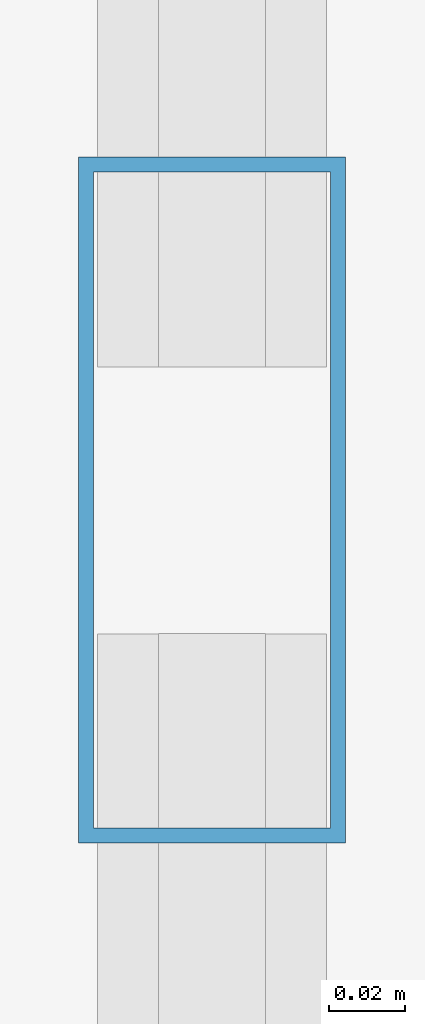
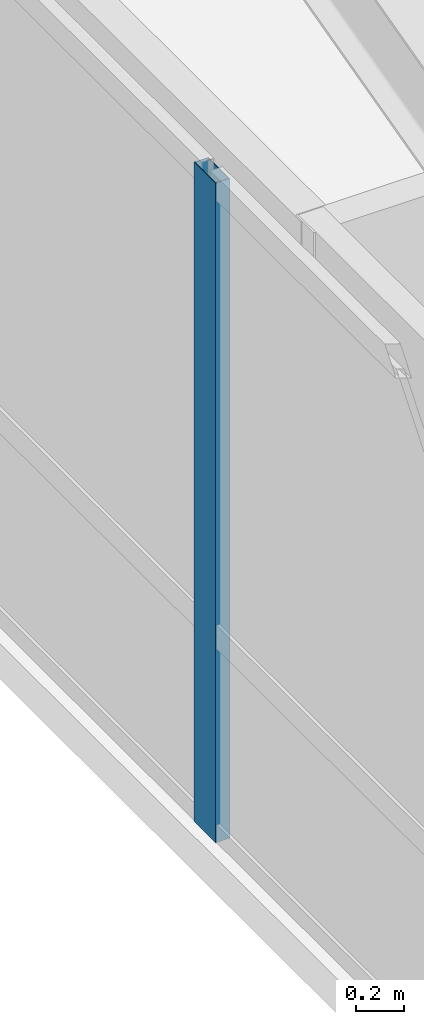
# One storey, part 13 of 24: 1 member, 1 element without a shape of its own.
"""IFC4 building model written with IfcOpenShell, lengths in metres."""

from ifc_helpers import new_model, si_unit, direction, frame, origin, origin_2d, place, context, subcontext, project, spatial, hollow_rectangle, extrude, source, transform, mapped, material, layer, layer_set, material_profile, profile_set, type_object, type_shapes, element, aggregate, save


model = new_model("IFC4")

# Units and contexts
model_context = context("Model", 3, precision=1e-05, world=origin(), true_north=direction((0.0, 1.0)))
body_context = subcontext(model_context, "Body", "Model", "MODEL_VIEW")
ifc_project = project(units=[si_unit("LENGTHUNIT", "METRE"), si_unit("AREAUNIT", "SQUARE_METRE"), si_unit("VOLUMEUNIT", "CUBIC_METRE"), si_unit("PLANEANGLEUNIT", "RADIAN"), si_unit("MASSUNIT", "GRAM", prefix="KILO")], contexts=[model_context])

# Site, building, storey
site_placement = place(None, origin())
site = spatial("IfcSite", under=ifc_project, at=site_placement, CompositionType="ELEMENT")
building_placement = place(site_placement, origin())
building = spatial("IfcBuilding", under=site, at=building_placement, Name="Tolvann Quenvar Hotel", CompositionType="ELEMENT")
storey_placement = place(building_placement, frame((0.0, 0.0, 157.699951171875)))
storey = spatial("IfcBuildingStorey", under=building, at=storey_placement, Name="L41", CompositionType="ELEMENT", Elevation=157.699951171875)

# Curtain wall, member
ifc_material_1 = material(Name="Thermally broken anodised architectural aluminium 6063-T6 and laminated low-E glass", Category="aluminium")
ifc_layer = layer(ifc_material_1, 0.179931640625)
ifc_layer_set = layer_set([ifc_layer], Name="Thermally broken anodised architectural aluminium 6063-T6 and laminated low-E glass")
curtain_wall_type = type_object("IfcCurtainWallType", Name="CW_SYS_BAND_04", PredefinedType="USERDEFINED", material=ifc_layer_set)
curtain_wall_placement = place(storey_placement, origin())
curtain_wall = element("IfcCurtainWall", 1, at=curtain_wall_placement, inside=storey, type_object=curtain_wall_type, Name="Curtain Wall CW-BAND-04 (CWR-L41-E23)", ObjectType="UNITISED CURTAIN WALL", PredefinedType="USERDEFINED")
ifc_material_2 = material(Name="Anodised architectural aluminium 6063-T6 framing", Category="aluminium")
ifc_material_profile = material_profile(ifc_material_2, hollow_rectangle(XDim=0.070068359375, YDim=0.179931640625, WallThickness=0.00390625, at=origin_2d()), Name="180x70x4RHS")
ifc_profile_set = profile_set([ifc_material_profile], Name="Anodised architectural aluminium 6063-T6 framing")
member_type = type_object("IfcMemberType", Name="CW_MULL_180x70", PredefinedType="MULLION", material=ifc_profile_set)
shared_shape = source(origin(), body_context, "Body", "SweptSolid", [
    extrude(hollow_rectangle(XDim=0.070068359375, YDim=0.179931640625, WallThickness=0.00390625, at=origin_2d()), origin(), (0.0, 0.0, 1.0), 3.3701171875),
])
type_shapes(member_type, [shared_shape])
member_placement = place(storey_placement, frame((2.68994140625, 37.26220703125, 0.0), z_axis=(0.0, 0.0, 1.0), x_axis=(1.0, 0.0, 0.0)))
member = element("IfcMember", 2, at=member_placement, type_object=member_type, Name="CW-BAND-04 mullion 2", PredefinedType="MULLION", context=body_context, shape_type="MappedRepresentation", body=[
    mapped(shared_shape, transform((0.0, 0.0, 0.0), x_axis=(1.0, 0.0, 0.0), y_axis=(0.0, 1.0, 0.0), z_axis=(0.0, 0.0, 1.0), scale=1.0)),
])
aggregate(curtain_wall, [member])

save(model, "model.ifc")
